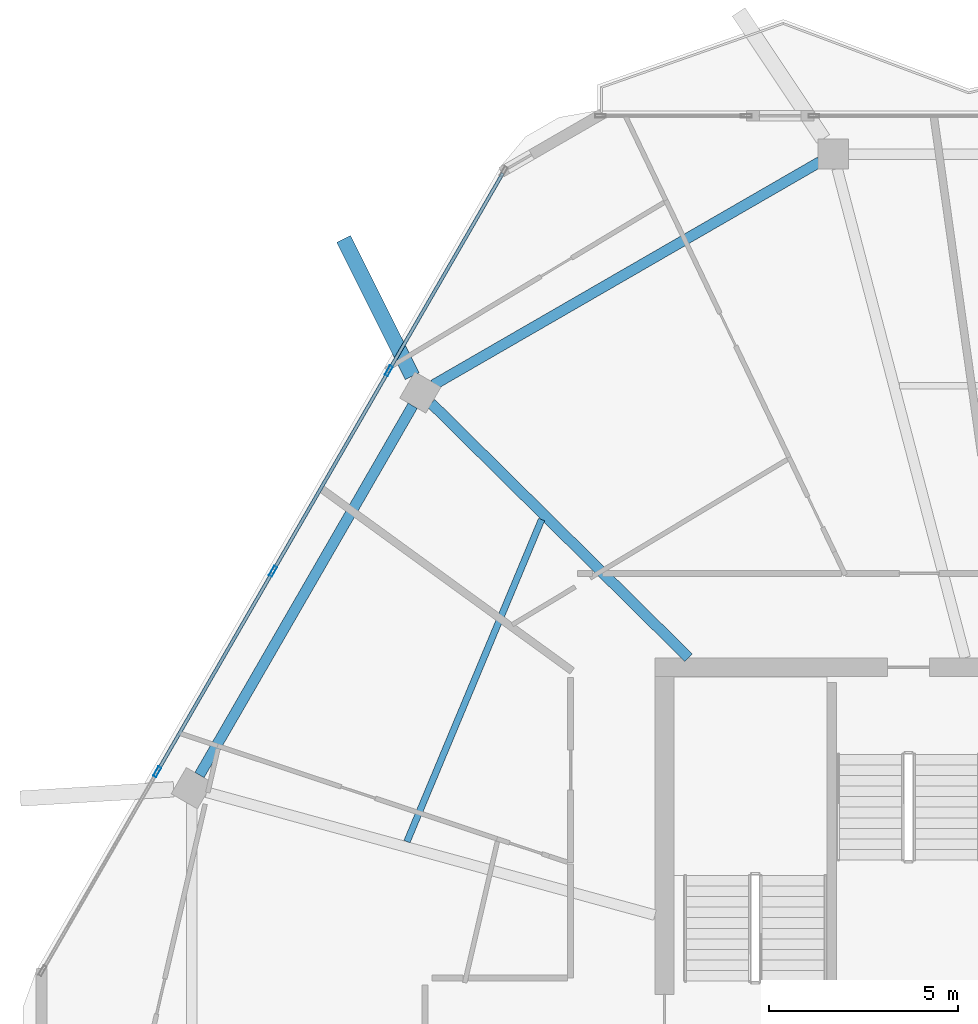
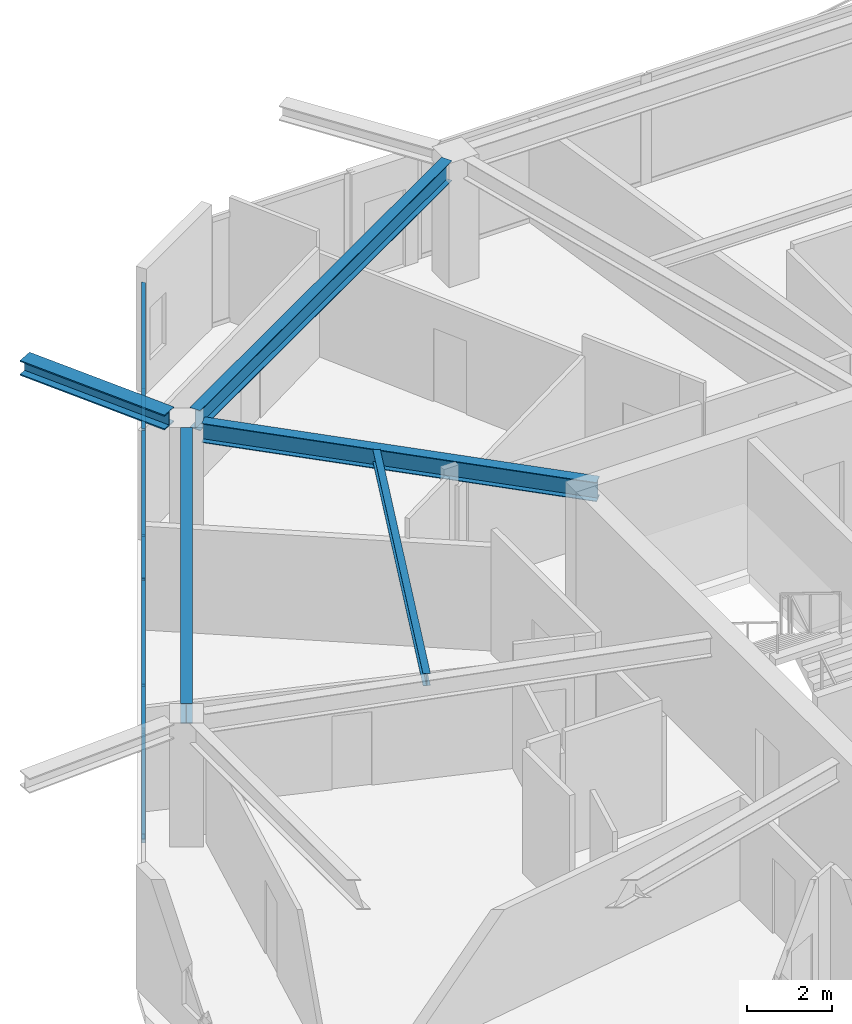
# One storey, part 8 of 20: 9 members, 5 beams, 1 element without a shape of its own.
"""IFC4 building model written with IfcOpenShell, lengths in metres."""

from ifc_helpers import new_model, si_unit, direction, frame, origin, origin_2d, place, context, subcontext, project, spatial, hollow_rectangle, i_section, extrude, material, material_profile, profile_set, type_object, element, aggregate, save


model = new_model("IFC4")

# Units and contexts
model_context = context("Model", 3, precision=1e-05, world=origin(), true_north=direction((0.0, 1.0)))
body_context = subcontext(model_context, "Body", "Model", "MODEL_VIEW")
ifc_project = project(units=[si_unit("LENGTHUNIT", "METRE"), si_unit("AREAUNIT", "SQUARE_METRE"), si_unit("VOLUMEUNIT", "CUBIC_METRE"), si_unit("PLANEANGLEUNIT", "RADIAN"), si_unit("MASSUNIT", "GRAM", prefix="KILO")], contexts=[model_context])

# Site, building, storey
site_placement = place(None, origin())
site = spatial("IfcSite", under=ifc_project, at=site_placement, CompositionType="ELEMENT")
building_placement = place(site_placement, origin())
building = spatial("IfcBuilding", under=site, at=building_placement, Name="Zuhravey Tower", CompositionType="ELEMENT")
storey_placement = place(building_placement, frame((0.0, 0.0, 312.0)))
storey = spatial("IfcBuildingStorey", under=building, at=storey_placement, Name="L79", CompositionType="ELEMENT", Elevation=312.0)

# Curtain wall, members
ifc_material_1 = material(Name="Thermally broken anodised aluminium", Category="aluminium")
curtain_wall_type = type_object("IfcCurtainWallType", Name="Zone 3-4 High-Rise Curtain Wall CW4", PredefinedType="NOTDEFINED", material=ifc_material_1)
curtain_wall_placement = place(storey_placement, origin())
curtain_wall = element("IfcCurtainWall", 1, at=curtain_wall_placement, inside=storey, type_object=curtain_wall_type, Name="L79 CW4 CW-L79-F3-1", PredefinedType="NOTDEFINED")
ifc_material_2 = material(Name="Anodised aluminium", Category="aluminium")
ifc_material_profile_1 = material_profile(ifc_material_2, hollow_rectangle(XDim=0.090087890625, YDim=0.284912109375, WallThickness=0.0048828125, at=origin_2d()), Name="ALU-RHS-90x285x5")
ifc_profile_set_1 = profile_set([ifc_material_profile_1], Name="Anodised aluminium")
member_type_1 = type_object("IfcMemberType", Name="Curtain-Wall Mullion 90x180", PredefinedType="MULLION", material=ifc_profile_set_1)
member_1_placement = place(storey_placement, frame((12.09130859375, 38.7373046875, 0.0), z_axis=(0.0, 0.0, 1.0), x_axis=(-0.866025511541, 0.49999981336, 0.0)))
member_1 = element("IfcMember", 2, at=member_1_placement, type_object=member_type_1, Name="CW4 mullion 2", PredefinedType="MULLION", context=body_context, shape_type="SweptSolid", body=[
    extrude(hollow_rectangle(XDim=0.090087890625, YDim=0.284912109375, WallThickness=0.0048828125, at=origin_2d()), origin(), (0.0, 0.0, 1.0), 3.1220703125),
])
member_2_placement = place(storey_placement, frame((15.1513671875, 44.037109375, 0.0), z_axis=(0.0, 0.0, 1.0), x_axis=(-0.866025511541, 0.49999981336, 0.0)))
member_2 = element("IfcMember", 3, at=member_2_placement, type_object=member_type_1, Name="CW4 mullion 3", PredefinedType="MULLION", context=body_context, shape_type="SweptSolid", body=[
    extrude(hollow_rectangle(XDim=0.090087890625, YDim=0.284912109375, WallThickness=0.0048828125, at=origin_2d()), origin(), (0.0, 0.0, 1.0), 3.1220703125),
])
member_3_placement = place(storey_placement, frame((18.211181640625, 49.3369140625, 0.0), z_axis=(0.0, 0.0, 1.0), x_axis=(-0.866025511541, 0.49999981336, 0.0)))
member_3 = element("IfcMember", 4, at=member_3_placement, type_object=member_type_1, Name="CW4 mullion 4", PredefinedType="MULLION", context=body_context, shape_type="SweptSolid", body=[
    extrude(hollow_rectangle(XDim=0.090087890625, YDim=0.284912109375, WallThickness=0.0048828125, at=origin_2d()), origin(), (0.0, 0.0, 1.0), 3.1220703125),
])
ifc_material_profile_2 = material_profile(ifc_material_2, hollow_rectangle(XDim=0.090087890625, YDim=0.14990234375, WallThickness=0.0048828125, at=origin_2d()), Name="ALU-RHS-90x150x5")
ifc_profile_set_2 = profile_set([ifc_material_profile_2], Name="Anodised aluminium")
member_type_2 = type_object("IfcMemberType", Name="Curtain-Wall Transom 90x150", PredefinedType="USERDEFINED", material=ifc_profile_set_2)
member_4_placement = place(storey_placement, frame((12.114013671875, 38.7763671875, 0.044921875), z_axis=(0.499988837749, 0.866031848217, 0.0), x_axis=(-0.866031848217, 0.499988837749, 0.0)))
member_4 = element("IfcMember", 5, at=member_4_placement, type_object=member_type_2, Name="CW4 transom 2.1", ObjectType="TRANSOM", PredefinedType="USERDEFINED", context=body_context, shape_type="SweptSolid", body=[
    extrude(hollow_rectangle(XDim=0.090087890625, YDim=0.14990234375, WallThickness=0.0048828125, at=origin_2d()), origin(), (0.0, 0.0, 1.0), 6.029541015625),
])
member_5_placement = place(storey_placement, frame((12.114013671875, 38.7763671875, 3.076904296875), z_axis=(0.499988837749, 0.866031848217, 0.0), x_axis=(-0.866031848217, 0.499988837749, 0.0)))
member_5 = element("IfcMember", 6, at=member_5_placement, type_object=member_type_2, Name="CW4 transom 2.2", ObjectType="TRANSOM", PredefinedType="USERDEFINED", context=body_context, shape_type="SweptSolid", body=[
    extrude(hollow_rectangle(XDim=0.090087890625, YDim=0.14990234375, WallThickness=0.0048828125, at=origin_2d()), origin(), (0.0, 0.0, 1.0), 6.029541015625),
])
member_6_placement = place(storey_placement, frame((15.173828125, 44.075927734375, 0.044921875), z_axis=(0.499971305196, 0.866041970103, 0.0), x_axis=(-0.866041970103, 0.499971305196, 0.0)))
member_6 = element("IfcMember", 7, at=member_6_placement, type_object=member_type_2, Name="CW4 transom 3.1", ObjectType="TRANSOM", PredefinedType="USERDEFINED", context=body_context, shape_type="SweptSolid", body=[
    extrude(hollow_rectangle(XDim=0.090087890625, YDim=0.14990234375, WallThickness=0.0048828125, at=origin_2d()), origin(), (0.0, 0.0, 1.0), 6.029541015625),
])
member_7_placement = place(storey_placement, frame((15.173828125, 44.075927734375, 3.076904296875), z_axis=(0.499971305196, 0.866041970103, 0.0), x_axis=(-0.866041970103, 0.499971305196, 0.0)))
member_7 = element("IfcMember", 8, at=member_7_placement, type_object=member_type_2, Name="CW4 transom 3.2", ObjectType="TRANSOM", PredefinedType="USERDEFINED", context=body_context, shape_type="SweptSolid", body=[
    extrude(hollow_rectangle(XDim=0.090087890625, YDim=0.14990234375, WallThickness=0.0048828125, at=origin_2d()), origin(), (0.0, 0.0, 1.0), 6.029541015625),
])
member_8_placement = place(storey_placement, frame((18.233642578125, 49.375732421875, 0.044921875), z_axis=(0.499982594807, 0.866035452444, 0.0), x_axis=(-0.866035452444, 0.499982594807, 0.0)))
member_8 = element("IfcMember", 9, at=member_8_placement, type_object=member_type_2, Name="CW4 transom 4.1", ObjectType="TRANSOM", PredefinedType="USERDEFINED", context=body_context, shape_type="SweptSolid", body=[
    extrude(hollow_rectangle(XDim=0.090087890625, YDim=0.14990234375, WallThickness=0.0048828125, at=origin_2d()), origin(), (0.0, 0.0, 1.0), 5.984619140625),
])
member_9_placement = place(storey_placement, frame((18.233642578125, 49.375732421875, 3.076904296875), z_axis=(0.499982594807, 0.866035452444, 0.0), x_axis=(-0.866035452444, 0.499982594807, 0.0)))
member_9 = element("IfcMember", 10, at=member_9_placement, type_object=member_type_2, Name="CW4 transom 4.2", ObjectType="TRANSOM", PredefinedType="USERDEFINED", context=body_context, shape_type="SweptSolid", body=[
    extrude(hollow_rectangle(XDim=0.090087890625, YDim=0.14990234375, WallThickness=0.0048828125, at=origin_2d()), origin(), (0.0, 0.0, 1.0), 5.984619140625),
])
aggregate(curtain_wall, [member_1, member_2, member_3, member_4, member_5, member_6, member_7, member_8, member_9])

# Beams
ifc_material_3 = material(Name="Steel SM460", Category="steel")
ifc_material_profile_3 = material_profile(ifc_material_3, i_section(OverallWidth=0.406982421875, OverallDepth=0.427978515625, WebThickness=0.02001953125, FlangeThickness=0.034912109375, at=origin_2d()), Name="H-428x407x20x35")
ifc_profile_set_3 = profile_set([ifc_material_profile_3], Name="Steel SM460")
beam_type_1 = type_object("IfcBeamType", Name="Exoskeleton Node Tie Beam H428x407", PredefinedType="BEAM", material=ifc_profile_set_3)
beam_1_placement = place(storey_placement, frame((18.829345703125, 49.194091796875, 3.3359375), z_axis=(-0.446900587237, 0.894583626682, 0.0), x_axis=(-0.894583626682, -0.446900587237, 0.0)))
element("IfcBeam", 11, at=beam_1_placement, inside=storey, type_object=beam_type_1, Name="L79 Exoskeleton Node Tie NT1-05", PredefinedType="BEAM", context=body_context, shape_type="SweptSolid", body=[
    extrude(i_section(OverallWidth=0.406982421875, OverallDepth=0.427978515625, WebThickness=0.02001953125, FlangeThickness=0.034912109375, at=origin_2d()), origin(), (0.0, 0.0, 1.0), 4.05615234375),
])
ifc_material_4 = material(Name="Steel SM355", Category="steel")
ifc_material_profile_4 = material_profile(ifc_material_4, i_section(OverallWidth=0.280029296875, OverallDepth=0.580078125, WebThickness=0.011962890625, FlangeThickness=0.01904296875, at=origin_2d()), Name="H-580x280x12x19")
ifc_profile_set_4 = profile_set([ifc_material_profile_4], Name="Steel SM355")
beam_type_2 = type_object("IfcBeamType", Name="Perimeter Ring Beam H580x280", PredefinedType="BEAM", material=ifc_profile_set_4)
beam_2_placement = place(storey_placement, frame((29.6123046875, 54.862548828125, 3.260009765625), z_axis=(-0.866023977509, -0.500002470373, 0.0), x_axis=(0.500002470373, -0.866023977509, 0.0)))
element("IfcBeam", 12, at=beam_2_placement, inside=storey, type_object=beam_type_2, Name="L79 PB4 BM-L79-PB-04", PredefinedType="BEAM", context=body_context, shape_type="SweptSolid", body=[
    extrude(i_section(OverallWidth=0.280029296875, OverallDepth=0.580078125, WebThickness=0.011962890625, FlangeThickness=0.01904296875, at=origin_2d()), origin(), (0.0, 0.0, 1.0), 11.798828125),
])
beam_3_placement = place(storey_placement, frame((18.84375, 48.41259765625, 3.260009765625), z_axis=(-0.500006198144, -0.866021825255, 0.0), x_axis=(0.866021825255, -0.500006198144, 0.0)))
element("IfcBeam", 13, at=beam_3_placement, inside=storey, type_object=beam_type_2, Name="L79 PB4 BM-L79-PB-05", PredefinedType="BEAM", context=body_context, shape_type="SweptSolid", body=[
    extrude(i_section(OverallWidth=0.280029296875, OverallDepth=0.580078125, WebThickness=0.011962890625, FlangeThickness=0.01904296875, at=origin_2d()), origin(), (0.0, 0.0, 1.0), 11.271240234375),
])
ifc_material_profile_5 = material_profile(ifc_material_4, i_section(OverallWidth=0.280029296875, OverallDepth=0.550048828125, WebThickness=0.010986328125, FlangeThickness=0.01806640625, at=origin_2d()), Name="H-550x280x11x18")
ifc_profile_set_5 = profile_set([ifc_material_profile_5], Name="Steel SM355")
beam_type_3 = type_object("IfcBeamType", Name="Radial Primary Girder H550x280", PredefinedType="BEAM", material=ifc_profile_set_5)
beam_4_placement = place(storey_placement, frame((26.134765625, 41.7529296875, 3.27490234375), z_axis=(-0.711153035666, 0.703037239314, 0.0), x_axis=(-0.703037239314, -0.711153035666, 0.0)))
element("IfcBeam", 14, at=beam_4_placement, inside=storey, type_object=beam_type_3, Name="L79 RG4 BM-L79-RAD-05", PredefinedType="BEAM", context=body_context, shape_type="SweptSolid", body=[
    extrude(i_section(OverallWidth=0.280029296875, OverallDepth=0.550048828125, WebThickness=0.010986328125, FlangeThickness=0.01806640625, at=origin_2d()), origin(), (0.0, 0.0, 1.0), 9.566162109375),
])
ifc_material_profile_6 = material_profile(ifc_material_4, i_section(OverallWidth=0.175048828125, OverallDepth=0.35009765625, WebThickness=0.007080078125, FlangeThickness=0.010986328125, at=origin_2d()), Name="H-350x175x7x11")
ifc_profile_set_6 = profile_set([ifc_material_profile_6], Name="Steel SM355")
beam_type_4 = type_object("IfcBeamType", Name="Secondary Floor Joist H350x175", PredefinedType="JOIST", material=ifc_profile_set_6)
beam_5_placement = place(storey_placement, frame((22.2509765625, 45.40478515625, 3.375), z_axis=(-0.385657891576, -0.922641853953, 0.0), x_axis=(0.922641853953, -0.385657891576, 0.0)))
element("IfcBeam", 15, at=beam_5_placement, inside=storey, type_object=beam_type_4, Name="L79 SJ3 BM-L79-SJ-05-1", PredefinedType="JOIST", context=body_context, shape_type="SweptSolid", body=[
    extrude(i_section(OverallWidth=0.175048828125, OverallDepth=0.35009765625, WebThickness=0.007080078125, FlangeThickness=0.010986328125, at=origin_2d()), origin(), (0.0, 0.0, 1.0), 9.226806640625),
])

save(model, "model.ifc")
